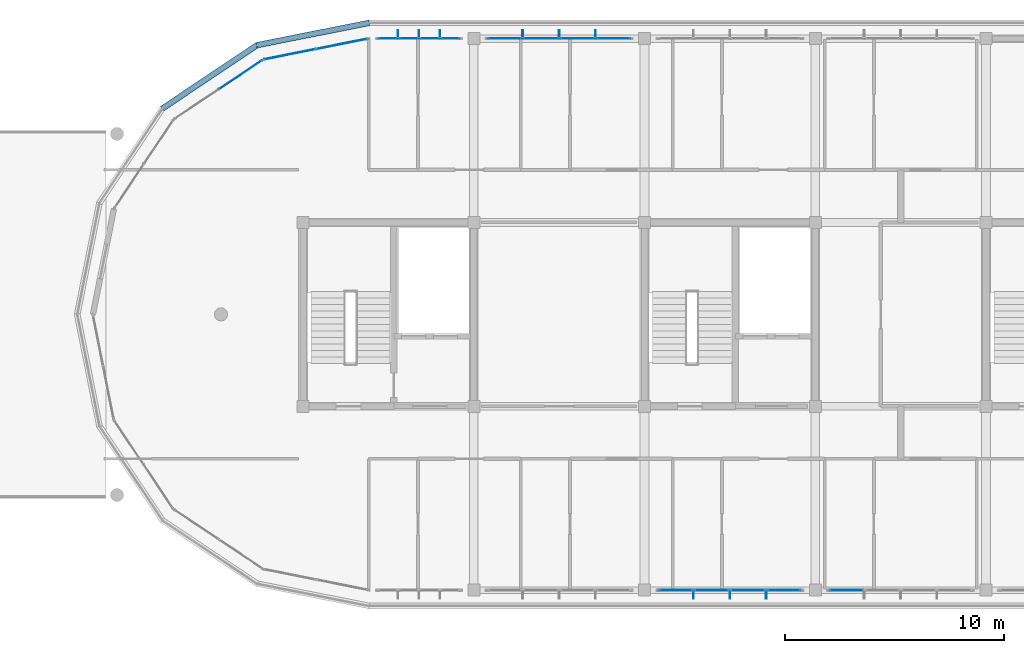
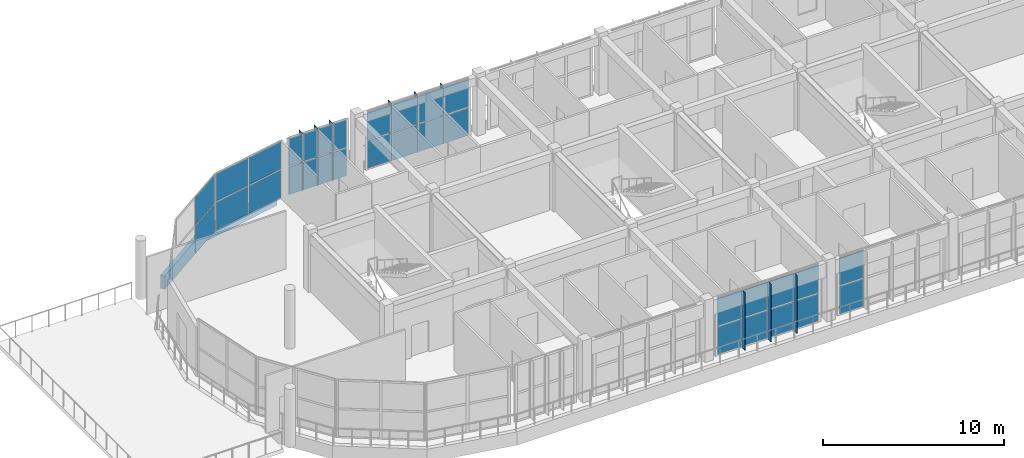
# One storey, part 29 of 44: 43 plates, 6 elements without a shape of their own.
"""IFC4 building model written with IfcOpenShell, lengths in metres."""

from ifc_helpers import new_model, si_unit, direction, frame, origin, origin_2d, place, context, subcontext, project, spatial, polyline, rectangle, outline, extrude, material, layer, layer_set, type_object, element, aggregate, save


model = new_model("IFC4")

# Units and contexts
model_context = context("Model", 3, precision=1e-05, world=origin(), true_north=direction((0.0, 1.0)))
body_context = subcontext(model_context, "Body", "Model", "MODEL_VIEW")
ifc_project = project(units=[si_unit("LENGTHUNIT", "METRE"), si_unit("AREAUNIT", "SQUARE_METRE"), si_unit("VOLUMEUNIT", "CUBIC_METRE"), si_unit("PLANEANGLEUNIT", "RADIAN"), si_unit("MASSUNIT", "GRAM", prefix="KILO")], contexts=[model_context])

# Site, building, storey
site_placement = place(None, origin())
site = spatial("IfcSite", under=ifc_project, at=site_placement, CompositionType="ELEMENT")
building_placement = place(site_placement, origin())
building = spatial("IfcBuilding", under=site, at=building_placement, Name="Zizhar Promenade General Hospital", CompositionType="ELEMENT")
storey_placement = place(building_placement, frame((0.0, 0.0, 34.800048828125)))
storey = spatial("IfcBuildingStorey", under=building, at=storey_placement, Name="L08", CompositionType="ELEMENT", Elevation=34.800048828125)

# Curtain wall, plates
ifc_material_1 = material(Name="Anodised aluminium 6063-T6 and low-E glass", Category="aluminium")
ifc_layer_1 = layer(ifc_material_1, 0.159912109375)
ifc_layer_set_1 = layer_set([ifc_layer_1], Name="Anodised aluminium 6063-T6 and low-E glass")
curtain_wall_type_1 = type_object("IfcCurtainWallType", Name="CW-WARD-RIB", PredefinedType="NOTDEFINED", material=ifc_layer_set_1)
curtain_wall_1_placement = place(storey_placement, origin())
curtain_wall_1 = element("IfcCurtainWall", 1, at=curtain_wall_1_placement, inside=storey, type_object=curtain_wall_type_1, Name="Ward Ribbon Curtain Wall L08-8-0", PredefinedType="NOTDEFINED")
ifc_material_2 = material(Name="Low-E solar-control glass", Category="glass")
ifc_layer_2 = layer(ifc_material_2, 0.031982421875)
ifc_layer_set_2 = layer_set([ifc_layer_2], Name="Low-E solar-control glass")
plate_type_1 = type_object("IfcPlateType", Name="CWP-GLZ-32", PredefinedType="CURTAIN_PANEL", material=ifc_layer_set_2)
plate_1_placement = place(storey_placement, frame((50.679931640625, 25.199951171875, 0.06005859375), z_axis=(0.0, 0.0, 1.0), x_axis=(1.0, 0.0, 0.0)))
plate_1 = element("IfcPlate", 2, at=plate_1_placement, type_object=plate_type_1, Name="CW-13 panel 1.1", PredefinedType="CURTAIN_PANEL", context=body_context, shape_type="SweptSolid", body=[
    extrude(rectangle(XDim=0.840087890625, YDim=0.031982421875, at=origin_2d()), origin(), (0.0, 0.0, 1.0), 1.860107421875),
])
plate_2_placement = place(storey_placement, frame((50.679931640625, 25.199951171875, 1.97998046875), z_axis=(0.0, 0.0, 1.0), x_axis=(1.0, 0.0, 0.0)))
plate_2 = element("IfcPlate", 3, at=plate_2_placement, type_object=plate_type_1, Name="CW-13 panel 1.2", PredefinedType="CURTAIN_PANEL", context=body_context, shape_type="SweptSolid", body=[
    extrude(rectangle(XDim=0.840087890625, YDim=0.031982421875, at=origin_2d()), origin(), (0.0, 0.0, 1.0), 1.860107421875),
])
plate_3_placement = place(storey_placement, frame((51.6201171875, 25.199951171875, 0.06005859375), z_axis=(0.0, 0.0, 1.0), x_axis=(1.0, 0.0, 0.0)))
plate_3 = element("IfcPlate", 4, at=plate_3_placement, type_object=plate_type_1, Name="CW-13 panel 2.1", PredefinedType="CURTAIN_PANEL", context=body_context, shape_type="SweptSolid", body=[
    extrude(rectangle(XDim=0.8798828125, YDim=0.031982421875, at=origin_2d()), origin(), (0.0, 0.0, 1.0), 1.860107421875),
])
plate_4_placement = place(storey_placement, frame((51.6201171875, 25.199951171875, 1.97998046875), z_axis=(0.0, 0.0, 1.0), x_axis=(1.0, 0.0, 0.0)))
plate_4 = element("IfcPlate", 5, at=plate_4_placement, type_object=plate_type_1, Name="CW-13 panel 2.2", PredefinedType="CURTAIN_PANEL", context=body_context, shape_type="SweptSolid", body=[
    extrude(rectangle(XDim=0.8798828125, YDim=0.031982421875, at=origin_2d()), origin(), (0.0, 0.0, 1.0), 1.860107421875),
])
plate_5_placement = place(storey_placement, frame((52.580078125, 25.199951171875, 0.06005859375), z_axis=(0.0, 0.0, 1.0), x_axis=(1.0, 0.0, 0.0)))
plate_5 = element("IfcPlate", 6, at=plate_5_placement, type_object=plate_type_1, Name="CW-13 panel 3.1", PredefinedType="CURTAIN_PANEL", context=body_context, shape_type="SweptSolid", body=[
    extrude(rectangle(XDim=0.8798828125, YDim=0.031982421875, at=origin_2d()), origin(), (0.0, 0.0, 1.0), 1.860107421875),
])
plate_6_placement = place(storey_placement, frame((52.580078125, 25.199951171875, 1.97998046875), z_axis=(0.0, 0.0, 1.0), x_axis=(1.0, 0.0, 0.0)))
plate_6 = element("IfcPlate", 7, at=plate_6_placement, type_object=plate_type_1, Name="CW-13 panel 3.2", PredefinedType="CURTAIN_PANEL", context=body_context, shape_type="SweptSolid", body=[
    extrude(rectangle(XDim=0.8798828125, YDim=0.031982421875, at=origin_2d()), origin(), (0.0, 0.0, 1.0), 1.860107421875),
])
plate_7_placement = place(storey_placement, frame((53.52001953125, 25.199951171875, 0.06005859375), z_axis=(0.0, 0.0, 1.0), x_axis=(1.0, 0.0, 0.0)))
plate_7 = element("IfcPlate", 8, at=plate_7_placement, type_object=plate_type_1, Name="CW-13 panel 4.1", PredefinedType="CURTAIN_PANEL", context=body_context, shape_type="SweptSolid", body=[
    extrude(rectangle(XDim=0.840087890625, YDim=0.031982421875, at=origin_2d()), origin(), (0.0, 0.0, 1.0), 1.860107421875),
])
plate_8_placement = place(storey_placement, frame((53.52001953125, 25.199951171875, 1.97998046875), z_axis=(0.0, 0.0, 1.0), x_axis=(1.0, 0.0, 0.0)))
plate_8 = element("IfcPlate", 9, at=plate_8_placement, type_object=plate_type_1, Name="CW-13 panel 4.2", PredefinedType="CURTAIN_PANEL", context=body_context, shape_type="SweptSolid", body=[
    extrude(rectangle(XDim=0.840087890625, YDim=0.031982421875, at=origin_2d()), origin(), (0.0, 0.0, 1.0), 1.860107421875),
])
aggregate(curtain_wall_1, [plate_1, plate_2, plate_3, plate_4, plate_5, plate_6, plate_7, plate_8])

curtain_wall_2_placement = place(storey_placement, origin())
curtain_wall_2 = element("IfcCurtainWall", 10, at=curtain_wall_2_placement, inside=storey, type_object=curtain_wall_type_1, Name="Ward Ribbon Curtain Wall L08-8-1", PredefinedType="NOTDEFINED")
plate_9_placement = place(storey_placement, frame((56.030029296875, 25.199951171875, 0.06005859375), z_axis=(0.0, 0.0, 1.0), x_axis=(1.0, 0.0, 0.0)))
plate_9 = element("IfcPlate", 11, at=plate_9_placement, type_object=plate_type_1, Name="CW-13 panel 1.1", PredefinedType="CURTAIN_PANEL", context=body_context, shape_type="SweptSolid", body=[
    extrude(rectangle(XDim=1.5400390625, YDim=0.031982421875, at=origin_2d()), origin(), (0.0, 0.0, 1.0), 1.860107421875),
])
plate_10_placement = place(storey_placement, frame((56.030029296875, 25.199951171875, 1.97998046875), z_axis=(0.0, 0.0, 1.0), x_axis=(1.0, 0.0, 0.0)))
plate_10 = element("IfcPlate", 12, at=plate_10_placement, type_object=plate_type_1, Name="CW-13 panel 1.2", PredefinedType="CURTAIN_PANEL", context=body_context, shape_type="SweptSolid", body=[
    extrude(rectangle(XDim=1.5400390625, YDim=0.031982421875, at=origin_2d()), origin(), (0.0, 0.0, 1.0), 1.860107421875),
])
plate_11_placement = place(storey_placement, frame((57.669921875, 25.199951171875, 0.06005859375), z_axis=(0.0, 0.0, 1.0), x_axis=(1.0, 0.0, 0.0)))
plate_11 = element("IfcPlate", 13, at=plate_11_placement, type_object=plate_type_1, Name="CW-13 panel 2.1", PredefinedType="CURTAIN_PANEL", context=body_context, shape_type="SweptSolid", body=[
    extrude(rectangle(XDim=1.580078125, YDim=0.031982421875, at=origin_2d()), origin(), (0.0, 0.0, 1.0), 1.860107421875),
])
plate_12_placement = place(storey_placement, frame((57.669921875, 25.199951171875, 1.97998046875), z_axis=(0.0, 0.0, 1.0), x_axis=(1.0, 0.0, 0.0)))
plate_12 = element("IfcPlate", 14, at=plate_12_placement, type_object=plate_type_1, Name="CW-13 panel 2.2", PredefinedType="CURTAIN_PANEL", context=body_context, shape_type="SweptSolid", body=[
    extrude(rectangle(XDim=1.580078125, YDim=0.031982421875, at=origin_2d()), origin(), (0.0, 0.0, 1.0), 1.860107421875),
])
plate_13_placement = place(storey_placement, frame((59.330078125, 25.199951171875, 0.06005859375), z_axis=(0.0, 0.0, 1.0), x_axis=(1.0, 0.0, 0.0)))
plate_13 = element("IfcPlate", 15, at=plate_13_placement, type_object=plate_type_1, Name="CW-13 panel 3.1", PredefinedType="CURTAIN_PANEL", context=body_context, shape_type="SweptSolid", body=[
    extrude(rectangle(XDim=1.580078125, YDim=0.031982421875, at=origin_2d()), origin(), (0.0, 0.0, 1.0), 1.860107421875),
])
plate_14_placement = place(storey_placement, frame((59.330078125, 25.199951171875, 1.97998046875), z_axis=(0.0, 0.0, 1.0), x_axis=(1.0, 0.0, 0.0)))
plate_14 = element("IfcPlate", 16, at=plate_14_placement, type_object=plate_type_1, Name="CW-13 panel 3.2", PredefinedType="CURTAIN_PANEL", context=body_context, shape_type="SweptSolid", body=[
    extrude(rectangle(XDim=1.580078125, YDim=0.031982421875, at=origin_2d()), origin(), (0.0, 0.0, 1.0), 1.860107421875),
])
plate_15_placement = place(storey_placement, frame((60.969970703125, 25.199951171875, 0.06005859375), z_axis=(0.0, 0.0, 1.0), x_axis=(1.0, 0.0, 0.0)))
plate_15 = element("IfcPlate", 17, at=plate_15_placement, type_object=plate_type_1, Name="CW-13 panel 4.1", PredefinedType="CURTAIN_PANEL", context=body_context, shape_type="SweptSolid", body=[
    extrude(rectangle(XDim=1.5400390625, YDim=0.031982421875, at=origin_2d()), origin(), (0.0, 0.0, 1.0), 1.860107421875),
])
plate_16_placement = place(storey_placement, frame((60.969970703125, 25.199951171875, 1.97998046875), z_axis=(0.0, 0.0, 1.0), x_axis=(1.0, 0.0, 0.0)))
plate_16 = element("IfcPlate", 18, at=plate_16_placement, type_object=plate_type_1, Name="CW-13 panel 4.2", PredefinedType="CURTAIN_PANEL", context=body_context, shape_type="SweptSolid", body=[
    extrude(rectangle(XDim=1.5400390625, YDim=0.031982421875, at=origin_2d()), origin(), (0.0, 0.0, 1.0), 1.860107421875),
])
aggregate(curtain_wall_2, [plate_9, plate_10, plate_11, plate_12, plate_13, plate_14, plate_15, plate_16])

ifc_material_3 = material(Name="Anodised aluminium 6063-T6 and low-E glass", Category="aluminium")
ifc_layer_3 = layer(ifc_material_3, 0.159912109375)
ifc_layer_set_3 = layer_set([ifc_layer_3], Name="Anodised aluminium 6063-T6 and low-E glass")
curtain_wall_type_2 = type_object("IfcCurtainWallType", Name="CW-WARD-ARC", PredefinedType="NOTDEFINED", material=ifc_layer_set_3)
curtain_wall_3_placement = place(storey_placement, origin())
curtain_wall_3 = element("IfcCurtainWall", 19, at=curtain_wall_3_placement, inside=storey, type_object=curtain_wall_type_2, Name="Ward Semicircular End Glazing L08-10", PredefinedType="NOTDEFINED")
plate_17_placement = place(storey_placement, frame((46.1982421875, 24.483642578125, 0.06005859375), z_axis=(0.0, 0.0, 1.0), x_axis=(0.980785889615, 0.195087259275, 0.0)))
plate_17 = element("IfcPlate", 20, at=plate_17_placement, type_object=plate_type_1, Name="CW-12 panel 1.1", PredefinedType="CURTAIN_PANEL", context=body_context, shape_type="SweptSolid", body=[
    extrude(rectangle(XDim=2.3681640625, YDim=0.031982421875, at=origin_2d()), origin(), (0.0, 0.0, 1.0), 1.860107421875),
])
plate_18_placement = place(storey_placement, frame((46.1982421875, 24.483642578125, 1.97998046875), z_axis=(0.0, 0.0, 1.0), x_axis=(0.980785889615, 0.195087259275, 0.0)))
plate_18 = element("IfcPlate", 21, at=plate_18_placement, type_object=plate_type_1, Name="CW-12 panel 1.2", PredefinedType="CURTAIN_PANEL", context=body_context, shape_type="SweptSolid", body=[
    extrude(rectangle(XDim=2.3681640625, YDim=0.031982421875, at=origin_2d()), origin(), (0.0, 0.0, 1.0), 1.860107421875),
])
plate_19_placement = place(storey_placement, frame((48.579833984375, 24.957275390625, 0.06005859375), z_axis=(0.0, 0.0, 1.0), x_axis=(0.980785889615, 0.195087259275, 0.0)))
plate_19 = element("IfcPlate", 22, at=plate_19_placement, type_object=plate_type_1, Name="CW-12 panel 2.1", PredefinedType="CURTAIN_PANEL", context=body_context, shape_type="SweptSolid", body=[
    extrude(rectangle(XDim=2.3681640625, YDim=0.031982421875, at=origin_2d()), origin(), (0.0, 0.0, 1.0), 1.860107421875),
])
plate_20_placement = place(storey_placement, frame((48.579833984375, 24.957275390625, 1.97998046875), z_axis=(0.0, 0.0, 1.0), x_axis=(0.980785889615, 0.195087259275, 0.0)))
plate_20 = element("IfcPlate", 23, at=plate_20_placement, type_object=plate_type_1, Name="CW-12 panel 2.2", PredefinedType="CURTAIN_PANEL", context=body_context, shape_type="SweptSolid", body=[
    extrude(rectangle(XDim=2.3681640625, YDim=0.031982421875, at=origin_2d()), origin(), (0.0, 0.0, 1.0), 1.860107421875),
])
aggregate(curtain_wall_3, [plate_17, plate_18, plate_19, plate_20])

curtain_wall_4_placement = place(storey_placement, origin())
curtain_wall_4 = element("IfcCurtainWall", 24, at=curtain_wall_4_placement, inside=storey, type_object=curtain_wall_type_2, Name="Ward Semicircular End Glazing L08-11", PredefinedType="NOTDEFINED")
plate_21_placement = place(storey_placement, frame((43.94384765625, 23.5498046875, 0.06005859375), z_axis=(0.0, 0.0, 1.0), x_axis=(0.831461514468, 0.555582352095, 0.0)))
plate_21 = element("IfcPlate", 25, at=plate_21_placement, type_object=plate_type_1, Name="CW-12 panel 2.1", PredefinedType="CURTAIN_PANEL", context=body_context, shape_type="SweptSolid", body=[
    extrude(rectangle(XDim=2.3681640625, YDim=0.031982421875, at=origin_2d()), origin(), (0.0, 0.0, 1.0), 1.860107421875),
])
plate_22_placement = place(storey_placement, frame((43.94384765625, 23.5498046875, 1.97998046875), z_axis=(0.0, 0.0, 1.0), x_axis=(0.831461514468, 0.555582352095, 0.0)))
plate_22 = element("IfcPlate", 26, at=plate_22_placement, type_object=plate_type_1, Name="CW-12 panel 2.2", PredefinedType="CURTAIN_PANEL", context=body_context, shape_type="SweptSolid", body=[
    extrude(rectangle(XDim=2.3681640625, YDim=0.031982421875, at=origin_2d()), origin(), (0.0, 0.0, 1.0), 1.860107421875),
])
aggregate(curtain_wall_4, [plate_21, plate_22])

curtain_wall_5_placement = place(storey_placement, origin())
curtain_wall_5 = element("IfcCurtainWall", 27, at=curtain_wall_5_placement, inside=storey, type_object=curtain_wall_type_1, Name="Ward Ribbon Curtain Wall L08-17-3", PredefinedType="NOTDEFINED")
plate_23_placement = place(storey_placement, frame((71.6298828125, 0.0, 0.06005859375), z_axis=(0.0, 0.0, 1.0), x_axis=(-1.0, 0.0, 0.0)))
plate_23 = element("IfcPlate", 28, at=plate_23_placement, type_object=plate_type_1, Name="CW-13 panel 4.1", PredefinedType="CURTAIN_PANEL", context=body_context, shape_type="SweptSolid", body=[
    extrude(rectangle(XDim=1.5400390625, YDim=0.031982421875, at=origin_2d()), origin(), (0.0, 0.0, 1.0), 1.860107421875),
])
plate_24_placement = place(storey_placement, frame((71.6298828125, 0.0, 1.97998046875), z_axis=(0.0, 0.0, 1.0), x_axis=(-1.0, 0.0, 0.0)))
plate_24 = element("IfcPlate", 29, at=plate_24_placement, type_object=plate_type_1, Name="CW-13 panel 4.2", PredefinedType="CURTAIN_PANEL", context=body_context, shape_type="SweptSolid", body=[
    extrude(rectangle(XDim=1.5400390625, YDim=0.031982421875, at=origin_2d()), origin(), (0.0, 0.0, 1.0), 1.860107421875),
])
aggregate(curtain_wall_5, [plate_23, plate_24])

curtain_wall_6_placement = place(storey_placement, origin())
curtain_wall_6 = element("IfcCurtainWall", 30, at=curtain_wall_6_placement, inside=storey, type_object=curtain_wall_type_1, Name="Ward Ribbon Curtain Wall L08-17-4", PredefinedType="NOTDEFINED")
plate_25_placement = place(storey_placement, frame((68.77001953125, 0.0, 0.06005859375), z_axis=(0.0, 0.0, 1.0), x_axis=(-1.0, 0.0, 0.0)))
plate_25 = element("IfcPlate", 31, at=plate_25_placement, type_object=plate_type_1, Name="CW-13 panel 1.1", PredefinedType="CURTAIN_PANEL", context=body_context, shape_type="SweptSolid", body=[
    extrude(rectangle(XDim=1.5400390625, YDim=0.031982421875, at=origin_2d()), origin(), (0.0, 0.0, 1.0), 1.860107421875),
])
plate_26_placement = place(storey_placement, frame((68.77001953125, 0.0, 1.97998046875), z_axis=(0.0, 0.0, 1.0), x_axis=(-1.0, 0.0, 0.0)))
plate_26 = element("IfcPlate", 32, at=plate_26_placement, type_object=plate_type_1, Name="CW-13 panel 1.2", PredefinedType="CURTAIN_PANEL", context=body_context, shape_type="SweptSolid", body=[
    extrude(rectangle(XDim=1.5400390625, YDim=0.031982421875, at=origin_2d()), origin(), (0.0, 0.0, 1.0), 1.860107421875),
])
plate_27_placement = place(storey_placement, frame((67.1298828125, 0.0, 0.06005859375), z_axis=(0.0, 0.0, 1.0), x_axis=(-1.0, 0.0, 0.0)))
plate_27 = element("IfcPlate", 33, at=plate_27_placement, type_object=plate_type_1, Name="CW-13 panel 2.1", PredefinedType="CURTAIN_PANEL", context=body_context, shape_type="SweptSolid", body=[
    extrude(rectangle(XDim=1.580078125, YDim=0.031982421875, at=origin_2d()), origin(), (0.0, 0.0, 1.0), 1.860107421875),
])
plate_28_placement = place(storey_placement, frame((67.1298828125, 0.0, 1.97998046875), z_axis=(0.0, 0.0, 1.0), x_axis=(-1.0, 0.0, 0.0)))
plate_28 = element("IfcPlate", 34, at=plate_28_placement, type_object=plate_type_1, Name="CW-13 panel 2.2", PredefinedType="CURTAIN_PANEL", context=body_context, shape_type="SweptSolid", body=[
    extrude(rectangle(XDim=1.580078125, YDim=0.031982421875, at=origin_2d()), origin(), (0.0, 0.0, 1.0), 1.860107421875),
])
plate_29_placement = place(storey_placement, frame((65.469970703125, 0.0, 0.06005859375), z_axis=(0.0, 0.0, 1.0), x_axis=(-1.0, 0.0, 0.0)))
plate_29 = element("IfcPlate", 35, at=plate_29_placement, type_object=plate_type_1, Name="CW-13 panel 3.1", PredefinedType="CURTAIN_PANEL", context=body_context, shape_type="SweptSolid", body=[
    extrude(rectangle(XDim=1.580078125, YDim=0.031982421875, at=origin_2d()), origin(), (0.0, 0.0, 1.0), 1.860107421875),
])
plate_30_placement = place(storey_placement, frame((65.469970703125, 0.0, 1.97998046875), z_axis=(0.0, 0.0, 1.0), x_axis=(-1.0, 0.0, 0.0)))
plate_30 = element("IfcPlate", 36, at=plate_30_placement, type_object=plate_type_1, Name="CW-13 panel 3.2", PredefinedType="CURTAIN_PANEL", context=body_context, shape_type="SweptSolid", body=[
    extrude(rectangle(XDim=1.580078125, YDim=0.031982421875, at=origin_2d()), origin(), (0.0, 0.0, 1.0), 1.860107421875),
])
plate_31_placement = place(storey_placement, frame((63.830078125, 0.0, 0.06005859375), z_axis=(0.0, 0.0, 1.0), x_axis=(-1.0, 0.0, 0.0)))
plate_31 = element("IfcPlate", 37, at=plate_31_placement, type_object=plate_type_1, Name="CW-13 panel 4.1", PredefinedType="CURTAIN_PANEL", context=body_context, shape_type="SweptSolid", body=[
    extrude(rectangle(XDim=1.5400390625, YDim=0.031982421875, at=origin_2d()), origin(), (0.0, 0.0, 1.0), 1.860107421875),
])
plate_32_placement = place(storey_placement, frame((63.830078125, 0.0, 1.97998046875), z_axis=(0.0, 0.0, 1.0), x_axis=(-1.0, 0.0, 0.0)))
plate_32 = element("IfcPlate", 38, at=plate_32_placement, type_object=plate_type_1, Name="CW-13 panel 4.2", PredefinedType="CURTAIN_PANEL", context=body_context, shape_type="SweptSolid", body=[
    extrude(rectangle(XDim=1.5400390625, YDim=0.031982421875, at=origin_2d()), origin(), (0.0, 0.0, 1.0), 1.860107421875),
])
aggregate(curtain_wall_6, [plate_25, plate_26, plate_27, plate_28, plate_29, plate_30, plate_31, plate_32])

# Plates
ifc_material_4 = material(Name="Anodised aluminium 6063-T6", Category="aluminium")
ifc_layer_4 = layer(ifc_material_4, 0.035888671875)
ifc_layer_set_4 = layer_set([ifc_layer_4], Name="Anodised aluminium 6063-T6")
plate_type_2 = type_object("IfcPlateType", Name="FIN-ALU-380", PredefinedType="USERDEFINED", material=ifc_layer_set_4)
plate_33_placement = place(storey_placement, origin())
element("IfcPlate", 39, at=plate_33_placement, inside=storey, type_object=plate_type_2, Name="Ward Ribbon Curtain Wall L08-8-0 Solar Fin 1", ObjectType="SOLAR_SHADE", PredefinedType="USERDEFINED", context=body_context, shape_type="SweptSolid", body=[
    extrude(outline(polyline([(51.1220703125, 25.199951171875), (51.157958984375, 25.199951171875), (51.157958984375, 25.580078125), (51.1220703125, 25.580078125), (51.1220703125, 25.199951171875)])), origin(), (0.0, 0.0, 1.0), 3.89990234375),
])
plate_34_placement = place(storey_placement, origin())
element("IfcPlate", 40, at=plate_34_placement, inside=storey, type_object=plate_type_2, Name="Ward Ribbon Curtain Wall L08-8-0 Solar Fin 2", ObjectType="SOLAR_SHADE", PredefinedType="USERDEFINED", context=body_context, shape_type="SweptSolid", body=[
    extrude(outline(polyline([(52.08203125, 25.199951171875), (52.117919921875, 25.199951171875), (52.117919921875, 25.580078125), (52.08203125, 25.580078125), (52.08203125, 25.199951171875)])), origin(), (0.0, 0.0, 1.0), 3.89990234375),
])
plate_35_placement = place(storey_placement, origin())
element("IfcPlate", 41, at=plate_35_placement, inside=storey, type_object=plate_type_2, Name="Ward Ribbon Curtain Wall L08-8-0 Solar Fin 3", ObjectType="SOLAR_SHADE", PredefinedType="USERDEFINED", context=body_context, shape_type="SweptSolid", body=[
    extrude(outline(polyline([(53.0419921875, 25.199951171875), (53.077880859375, 25.199951171875), (53.077880859375, 25.580078125), (53.0419921875, 25.580078125), (53.0419921875, 25.199951171875)])), origin(), (0.0, 0.0, 1.0), 3.89990234375),
])
plate_36_placement = place(storey_placement, origin())
element("IfcPlate", 42, at=plate_36_placement, inside=storey, type_object=plate_type_2, Name="Ward Ribbon Curtain Wall L08-8-1 Solar Fin 1", ObjectType="SOLAR_SHADE", PredefinedType="USERDEFINED", context=body_context, shape_type="SweptSolid", body=[
    extrude(outline(polyline([(56.822021484375, 25.199951171875), (56.85791015625, 25.199951171875), (56.85791015625, 25.580078125), (56.822021484375, 25.580078125), (56.822021484375, 25.199951171875)])), origin(), (0.0, 0.0, 1.0), 3.89990234375),
])
plate_37_placement = place(storey_placement, origin())
element("IfcPlate", 43, at=plate_37_placement, inside=storey, type_object=plate_type_2, Name="Ward Ribbon Curtain Wall L08-8-1 Solar Fin 2", ObjectType="SOLAR_SHADE", PredefinedType="USERDEFINED", context=body_context, shape_type="SweptSolid", body=[
    extrude(outline(polyline([(58.48193359375, 25.199951171875), (58.51806640625, 25.199951171875), (58.51806640625, 25.580078125), (58.48193359375, 25.580078125), (58.48193359375, 25.199951171875)])), origin(), (0.0, 0.0, 1.0), 3.89990234375),
])
plate_38_placement = place(storey_placement, origin())
element("IfcPlate", 44, at=plate_38_placement, inside=storey, type_object=plate_type_2, Name="Ward Ribbon Curtain Wall L08-8-1 Solar Fin 3", ObjectType="SOLAR_SHADE", PredefinedType="USERDEFINED", context=body_context, shape_type="SweptSolid", body=[
    extrude(outline(polyline([(60.14208984375, 25.199951171875), (60.177978515625, 25.199951171875), (60.177978515625, 25.580078125), (60.14208984375, 25.580078125), (60.14208984375, 25.199951171875)])), origin(), (0.0, 0.0, 1.0), 3.89990234375),
])
plate_39_placement = place(storey_placement, origin())
element("IfcPlate", 45, at=plate_39_placement, inside=storey, type_object=plate_type_2, Name="Ward Ribbon Curtain Wall L08-17-4 Solar Fin 1", ObjectType="SOLAR_SHADE", PredefinedType="USERDEFINED", context=body_context, shape_type="SweptSolid", body=[
    extrude(outline(polyline([(67.97802734375, 0.0), (67.94189453125, 0.0), (67.94189453125, -0.3798828125), (67.97802734375, -0.3798828125), (67.97802734375, 0.0)])), origin(), (0.0, 0.0, 1.0), 3.89990234375),
])
plate_40_placement = place(storey_placement, origin())
element("IfcPlate", 46, at=plate_40_placement, inside=storey, type_object=plate_type_2, Name="Ward Ribbon Curtain Wall L08-17-4 Solar Fin 2", ObjectType="SOLAR_SHADE", PredefinedType="USERDEFINED", context=body_context, shape_type="SweptSolid", body=[
    extrude(outline(polyline([(66.318115234375, 0.0), (66.281982421875, 0.0), (66.281982421875, -0.3798828125), (66.318115234375, -0.3798828125), (66.318115234375, 0.0)])), origin(), (0.0, 0.0, 1.0), 3.89990234375),
])
plate_41_placement = place(storey_placement, origin())
element("IfcPlate", 47, at=plate_41_placement, inside=storey, type_object=plate_type_2, Name="Ward Ribbon Curtain Wall L08-17-4 Solar Fin 3", ObjectType="SOLAR_SHADE", PredefinedType="USERDEFINED", context=body_context, shape_type="SweptSolid", body=[
    extrude(outline(polyline([(64.657958984375, 0.0), (64.6220703125, 0.0), (64.6220703125, -0.3798828125), (64.657958984375, -0.3798828125), (64.657958984375, 0.0)])), origin(), (0.0, 0.0, 1.0), 3.89990234375),
])
ifc_material_5 = material(Name="Precast concrete C40/50", Category="concrete")
ifc_layer_5 = layer(ifc_material_5, 0.260009765625)
ifc_layer_set_5 = layer_set([ifc_layer_5], Name="Precast concrete C40/50")
plate_type_3 = type_object("IfcPlateType", Name="PL-PC-BAND950", PredefinedType="USERDEFINED", material=ifc_layer_set_5)
plate_42_placement = place(storey_placement, frame((0.0, 0.0, -0.900146484375)))
element("IfcPlate", 48, at=plate_42_placement, inside=storey, type_object=plate_type_3, Name="Ward Precast Slab Band L08-10", ObjectType="FASCIA_BAND", PredefinedType="USERDEFINED", context=body_context, shape_type="SweptSolid", body=[
    extrude(outline(polyline([(49.800048828125, 26.050048828125), (44.65283203125, 25.026123046875), (44.70361328125, 24.771240234375), (49.8505859375, 25.794921875), (49.800048828125, 26.050048828125)])), origin(), (0.0, 0.0, 1.0), 0.900146484375),
])
plate_43_placement = place(storey_placement, frame((0.0, 0.0, -0.900146484375)))
element("IfcPlate", 49, at=plate_43_placement, inside=storey, type_object=plate_type_3, Name="Ward Precast Slab Band L08-11", ObjectType="FASCIA_BAND", PredefinedType="USERDEFINED", context=body_context, shape_type="SweptSolid", body=[
    extrude(outline(polyline([(44.65283203125, 25.026123046875), (40.289306640625, 22.110595703125), (40.433837890625, 21.894287109375), (44.79736328125, 24.81005859375), (44.65283203125, 25.026123046875)])), origin(), (0.0, 0.0, 1.0), 0.900146484375),
])

save(model, "model.ifc")
